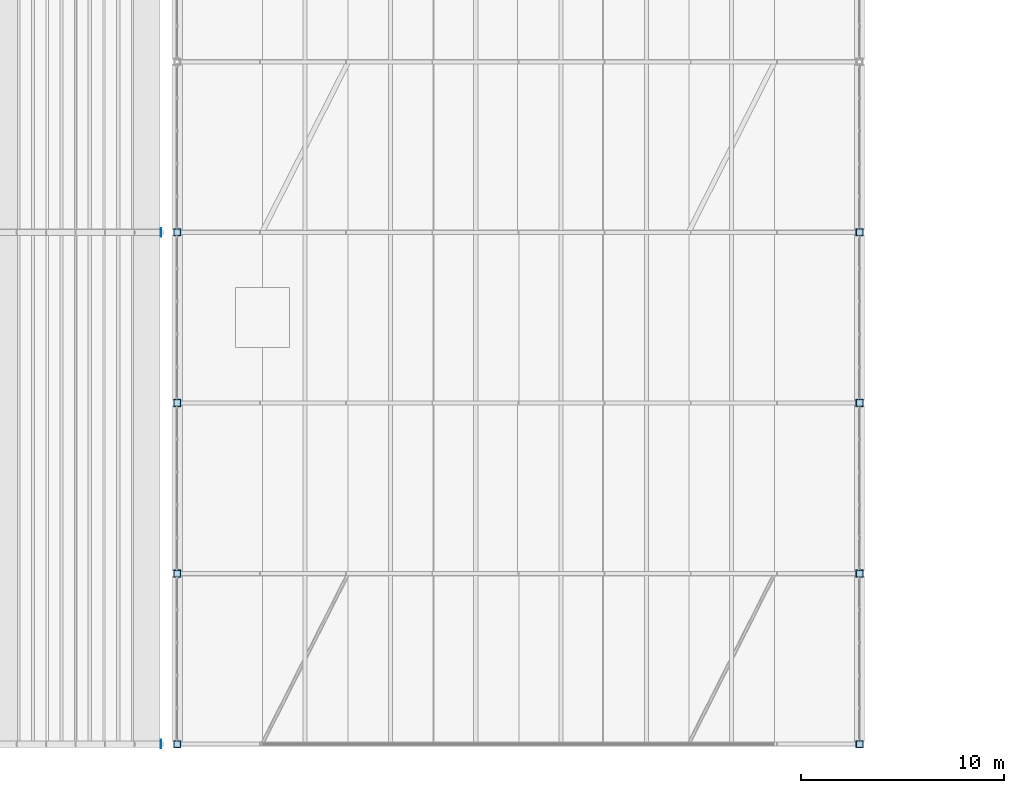
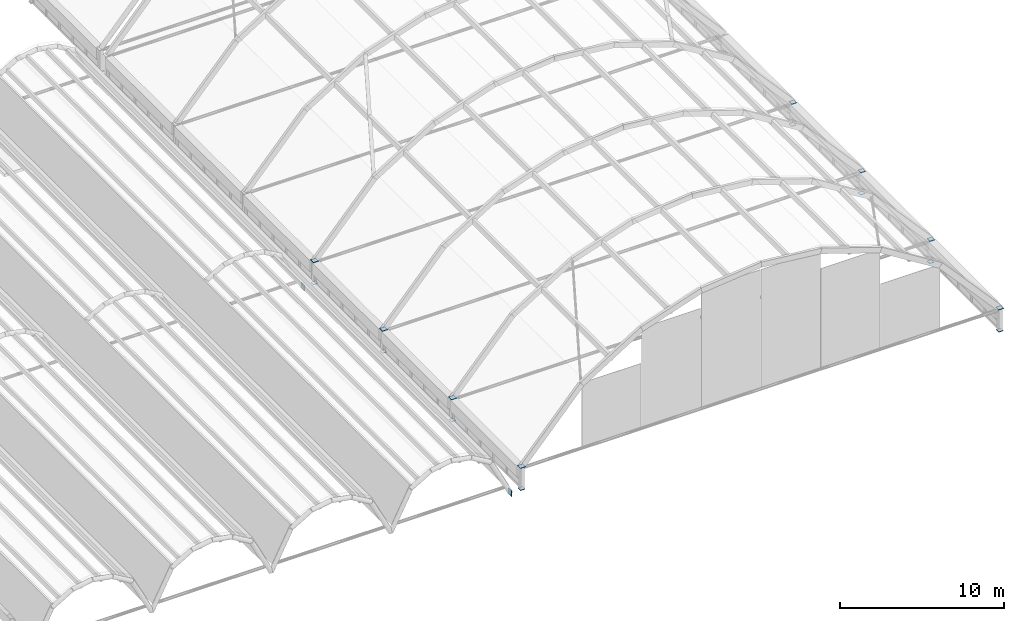
# One storey, part 98 of 114: 26 plates.
"""IFC4 building model written with IfcOpenShell, lengths in metres."""

from ifc_helpers import new_model, si_unit, direction, frame, origin, origin_2d, place, context, subcontext, project, spatial, rectangle, extrude, material, layer, layer_set, type_object, element, save


model = new_model("IFC4")

# Units and contexts
model_context = context("Model", 3, precision=1e-05, world=origin(), true_north=direction((0.0, 1.0)))
body_context = subcontext(model_context, "Body", "Model", "MODEL_VIEW")
ifc_project = project(units=[si_unit("LENGTHUNIT", "METRE"), si_unit("AREAUNIT", "SQUARE_METRE"), si_unit("VOLUMEUNIT", "CUBIC_METRE"), si_unit("PLANEANGLEUNIT", "RADIAN"), si_unit("MASSUNIT", "GRAM", prefix="KILO")], contexts=[model_context])

# Site, building, storey
site_placement = place(None, origin())
site = spatial("IfcSite", under=ifc_project, at=site_placement, CompositionType="ELEMENT")
building_placement = place(site_placement, origin())
building = spatial("IfcBuilding", under=site, at=building_placement, Name="Xazarin Passage Department Store", CompositionType="ELEMENT")
storey_placement = place(building_placement, frame((0.0, 0.0, 14.39990234375)))
storey = spatial("IfcBuildingStorey", under=building, at=storey_placement, Name="L03", CompositionType="ELEMENT", Elevation=14.39990234375)

# Plates
ifc_material = material(Name="Steel S355", Category="steel")
ifc_layer_1 = layer(ifc_material, 0.02001953125)
ifc_layer_set_1 = layer_set([ifc_layer_1], Name="Steel S355")
plate_type_1 = type_object("IfcPlateType", Name="STR-PLT-CAP20", PredefinedType="USERDEFINED", material=ifc_layer_set_1)
for number, where, z_axis, x_axis, name in (
    (1, (67.199951171875, 0.0, -0.2099609375), (0.0, 0.0, 1.0), (1.0, 0.0, 0.0), "L03 V3 Shell Arch Rib End Cap 7.1.E"),
    (2, (67.199951171875, 25.199951171875, -0.2099609375), (0.0, 0.0, 1.0), (1.0, 0.0, 0.0), "L03 V3 Shell Arch Rib End Cap 7.2.E"),
):
    element("IfcPlate", number, at=place(storey_placement, frame(where, z_axis=z_axis, x_axis=x_axis)), inside=storey, type_object=plate_type_1, Name=name, ObjectType="GUSSET PLATE", PredefinedType="USERDEFINED", context=body_context, shape_type="SweptSolid", body=[
        extrude(rectangle(XDim=0.035888671875, YDim=0.419921875, at=origin_2d()), origin(), (0.0, 0.0, 1.0), 0.419921875),
    ])
ifc_layer_2 = layer(ifc_material, 0.02392578125)
ifc_layer_set_2 = layer_set([ifc_layer_2], Name="Steel S355")
plate_type_2 = type_object("IfcPlateType", Name="STR-PLT-CAP24", PredefinedType="USERDEFINED", material=ifc_layer_set_2)
for number, where, z_axis, x_axis, name in (
    (3, (68.0, 0.0, -0.01611328125), (0.0, 0.0, 1.0), (1.0, 0.0, 0.0), "V2S Drum Column End Cap W-1-B"),
    (4, (68.0, 0.0, 1.6357421875), (0.0, 0.0, 1.0), (1.0, 0.0, 0.0), "V2S Drum Column End Cap W-1-T"),
    (5, (101.60009765625, 0.0, -0.01611328125), (0.0, 0.0, 1.0), (1.0, 0.0, 0.0), "V2S Drum Column End Cap E-1-B"),
    (6, (101.60009765625, 0.0, 1.6357421875), (0.0, 0.0, 1.0), (1.0, 0.0, 0.0), "V2S Drum Column End Cap E-1-T"),
    (7, (68.0, 8.39990234375, -0.01611328125), (0.0, 0.0, 1.0), (1.0, 0.0, 0.0), "V2S Drum Column End Cap W-2-B"),
    (8, (68.0, 8.39990234375, 1.6357421875), (0.0, 0.0, 1.0), (1.0, 0.0, 0.0), "V2S Drum Column End Cap W-2-T"),
    (9, (101.60009765625, 8.39990234375, -0.01611328125), (0.0, 0.0, 1.0), (1.0, 0.0, 0.0), "V2S Drum Column End Cap E-2-B"),
    (10, (101.60009765625, 8.39990234375, 1.6357421875), (0.0, 0.0, 1.0), (1.0, 0.0, 0.0), "V2S Drum Column End Cap E-2-T"),
    (11, (68.0, 16.800048828125, -0.01611328125), (0.0, 0.0, 1.0), (1.0, 0.0, 0.0), "V2S Drum Column End Cap W-3-B"),
    (12, (68.0, 16.800048828125, 1.6357421875), (0.0, 0.0, 1.0), (1.0, 0.0, 0.0), "V2S Drum Column End Cap W-3-T"),
    (13, (101.60009765625, 16.800048828125, -0.01611328125), (0.0, 0.0, 1.0), (1.0, 0.0, 0.0), "V2S Drum Column End Cap E-3-B"),
    (14, (101.60009765625, 16.800048828125, 1.6357421875), (0.0, 0.0, 1.0), (1.0, 0.0, 0.0), "V2S Drum Column End Cap E-3-T"),
    (15, (68.0, 25.199951171875, -0.01611328125), (0.0, 0.0, 1.0), (1.0, 0.0, 0.0), "V2S Drum Column End Cap W-4-B"),
    (16, (68.0, 25.199951171875, 1.6357421875), (0.0, 0.0, 1.0), (1.0, 0.0, 0.0), "V2S Drum Column End Cap W-4-T"),
    (17, (101.60009765625, 25.199951171875, -0.01611328125), (0.0, 0.0, 1.0), (1.0, 0.0, 0.0), "V2S Drum Column End Cap E-4-B"),
    (18, (101.60009765625, 25.199951171875, 1.6357421875), (0.0, 0.0, 1.0), (1.0, 0.0, 0.0), "V2S Drum Column End Cap E-4-T"),
):
    element("IfcPlate", number, at=place(storey_placement, frame(where, z_axis=z_axis, x_axis=x_axis)), inside=storey, type_object=plate_type_2, Name=name, ObjectType="GUSSET PLATE", PredefinedType="USERDEFINED", context=body_context, shape_type="SweptSolid", body=[
        extrude(rectangle(XDim=0.320068359375, YDim=0.320068359375, at=origin_2d()), origin(), (0.0, 0.0, 1.0), 0.031982421875),
    ])
for number, where, z_axis, x_axis, name in (
    (19, (68.0, 0.0, 1.65185546875), (0.0, 0.0, 1.0), (1.0, 0.0, 0.0), "V2S Arch Springing Cap Plate W-1"),
    (20, (101.60009765625, 0.0, 1.65185546875), (0.0, 0.0, 1.0), (1.0, 0.0, 0.0), "V2S Arch Springing Cap Plate E-1"),
    (21, (68.0, 8.39990234375, 1.65185546875), (0.0, 0.0, 1.0), (1.0, 0.0, 0.0), "V2S Arch Springing Cap Plate W-2"),
    (22, (101.60009765625, 8.39990234375, 1.65185546875), (0.0, 0.0, 1.0), (1.0, 0.0, 0.0), "V2S Arch Springing Cap Plate E-2"),
    (23, (68.0, 16.800048828125, 1.65185546875), (0.0, 0.0, 1.0), (1.0, 0.0, 0.0), "V2S Arch Springing Cap Plate W-3"),
    (24, (101.60009765625, 16.800048828125, 1.65185546875), (0.0, 0.0, 1.0), (1.0, 0.0, 0.0), "V2S Arch Springing Cap Plate E-3"),
    (25, (68.0, 25.199951171875, 1.65185546875), (0.0, 0.0, 1.0), (1.0, 0.0, 0.0), "V2S Arch Springing Cap Plate W-4"),
    (26, (101.60009765625, 25.199951171875, 1.65185546875), (0.0, 0.0, 1.0), (1.0, 0.0, 0.0), "V2S Arch Springing Cap Plate E-4"),
):
    element("IfcPlate", number, at=place(storey_placement, frame(where, z_axis=z_axis, x_axis=x_axis)), inside=storey, type_object=plate_type_2, Name=name, ObjectType="GUSSET PLATE", PredefinedType="USERDEFINED", context=body_context, shape_type="SweptSolid", body=[
        extrude(rectangle(XDim=0.3798828125, YDim=0.3798828125, at=origin_2d()), origin(), (0.0, 0.0, 1.0), 0.02392578125),
    ])

save(model, "model.ifc")
